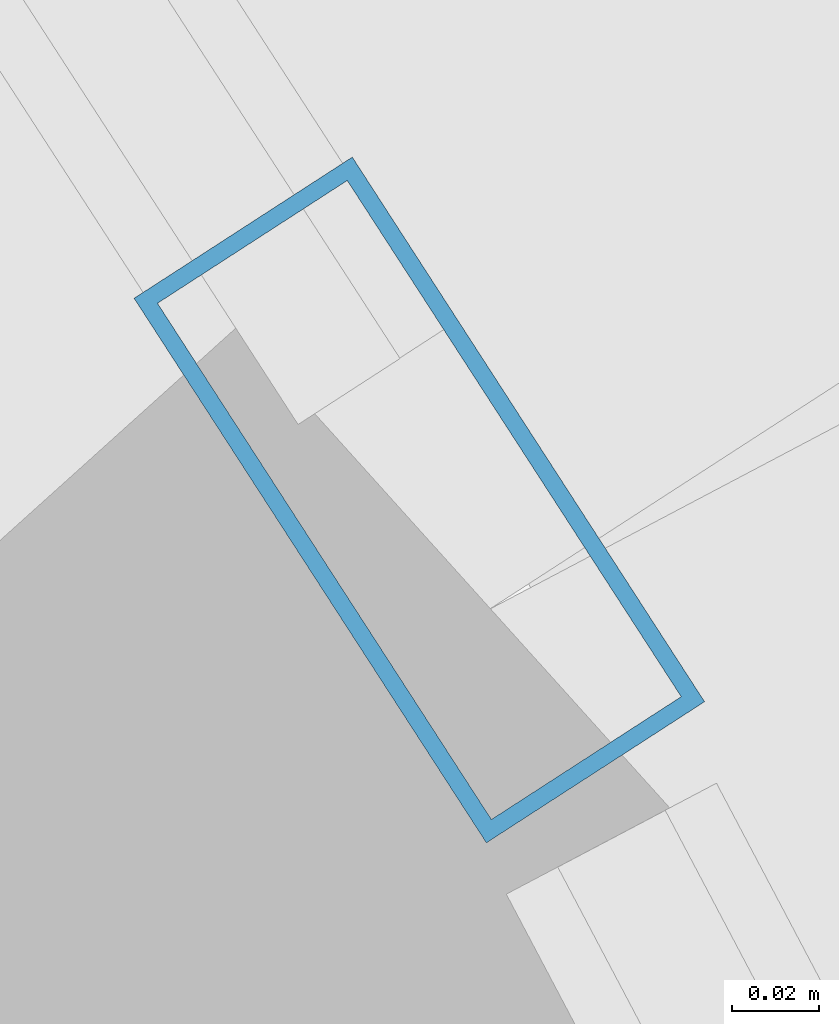
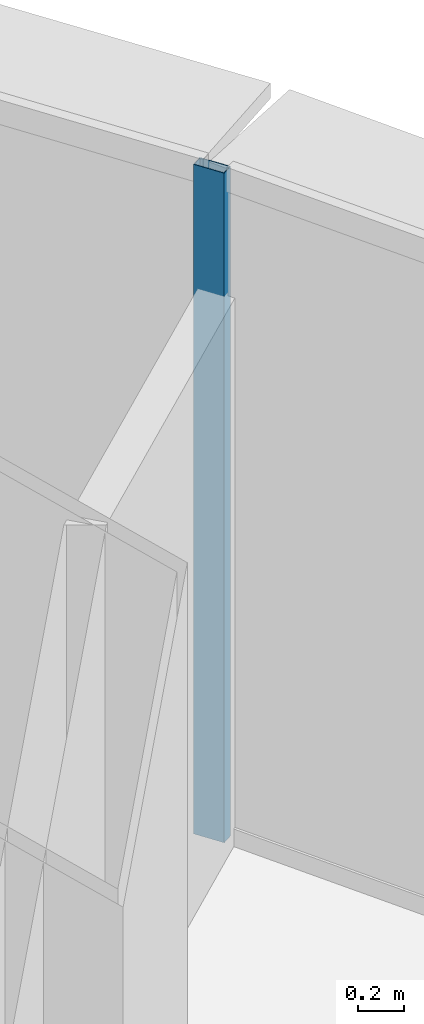
# One storey, part 20 of 40: 1 member, 1 element without a shape of its own.
"""IFC4 building model written with IfcOpenShell, lengths in metres."""

from ifc_helpers import new_model, si_unit, direction, frame, origin, origin_2d, place, context, subcontext, project, spatial, hollow_rectangle, extrude, source, transform, mapped, material, layer, layer_set, material_profile, profile_set, type_object, element, aggregate, save


model = new_model("IFC4")

# Units and contexts
model_context = context("Model", 3, precision=1e-05, world=origin(), true_north=direction((0.0, 1.0)))
body_context = subcontext(model_context, "Body", "Model", "MODEL_VIEW")
ifc_project = project(units=[si_unit("LENGTHUNIT", "METRE"), si_unit("AREAUNIT", "SQUARE_METRE"), si_unit("VOLUMEUNIT", "CUBIC_METRE"), si_unit("PLANEANGLEUNIT", "RADIAN"), si_unit("MASSUNIT", "GRAM", prefix="KILO"), si_unit("THERMODYNAMICTEMPERATUREUNIT", "KELVIN"), si_unit("POWERUNIT", "WATT")], contexts=[model_context])

# Site, building, storey
site_placement = place(None, origin())
site = spatial("IfcSite", under=ifc_project, at=site_placement, CompositionType="ELEMENT")
building_placement = place(site_placement, origin())
building = spatial("IfcBuilding", under=site, at=building_placement, Name="Yunzhuo Pagoda Commons", CompositionType="ELEMENT")
storey_placement = place(building_placement, frame((0.0, 0.0, 184.760009765625)))
storey = spatial("IfcBuildingStorey", under=building, at=storey_placement, Name="L46", CompositionType="ELEMENT", Elevation=184.760009765625)

# Curtain wall, member
ifc_material = material(Name="Anodized aluminium 6063-T6", Category="aluminium")
ifc_layer = layer(ifc_material, 0.14990234375)
ifc_layer_set = layer_set([ifc_layer], Name="Anodized aluminium 6063-T6")
curtain_wall_type = type_object("IfcCurtainWallType", Name="CW-MID Mid-Zone Ribbon Curtain Wall", PredefinedType="NOTDEFINED", material=ifc_layer_set)
curtain_wall_placement = place(storey_placement, origin())
curtain_wall = element("IfcCurtainWall", 1, at=curtain_wall_placement, inside=storey, type_object=curtain_wall_type, Name="L46 curtain wall CW-L46-F2B4", PredefinedType="NOTDEFINED")
ifc_material_profile = material_profile(ifc_material, hollow_rectangle(XDim=0.06005859375, YDim=0.14990234375, WallThickness=0.00390625, at=origin_2d()), Name="Anodized aluminium 6063-T6")
ifc_profile_set = profile_set([ifc_material_profile], Name="Anodized aluminium 6063-T6")
member_type = type_object("IfcMemberType", Name="CW-MID-M Mullion RHS 150x60x4", PredefinedType="MULLION", material=ifc_profile_set)
shared_shape = source(origin(), body_context, "Body", "SweptSolid", [
    extrude(hollow_rectangle(XDim=0.06005859375, YDim=0.14990234375, WallThickness=0.00390625, at=origin_2d()), origin(), (0.0, 0.0, 1.0), 3.5400390625),
])
member_placement = place(storey_placement, frame((72.319091796875, 55.636962890625, 0.0), z_axis=(0.0, 0.0, 1.0), x_axis=(-0.839626850374, -0.543163651335, 0.0)))
member = element("IfcMember", 2, at=member_placement, type_object=member_type, Name="CW mullion 1", PredefinedType="MULLION", context=body_context, shape_type="MappedRepresentation", body=[
    mapped(shared_shape, transform((0.0, 0.0, 0.0), scale=1.0)),
])
aggregate(curtain_wall, [member])

save(model, "model.ifc")
